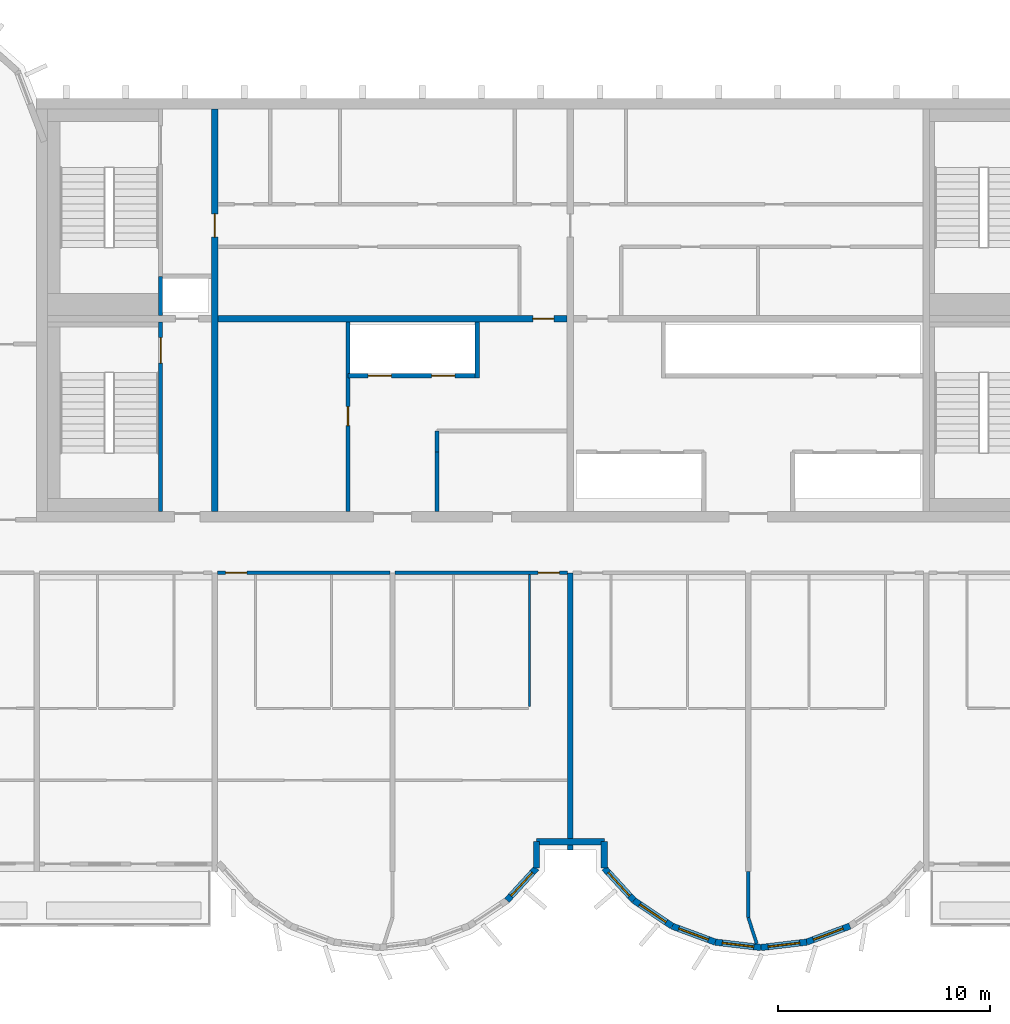
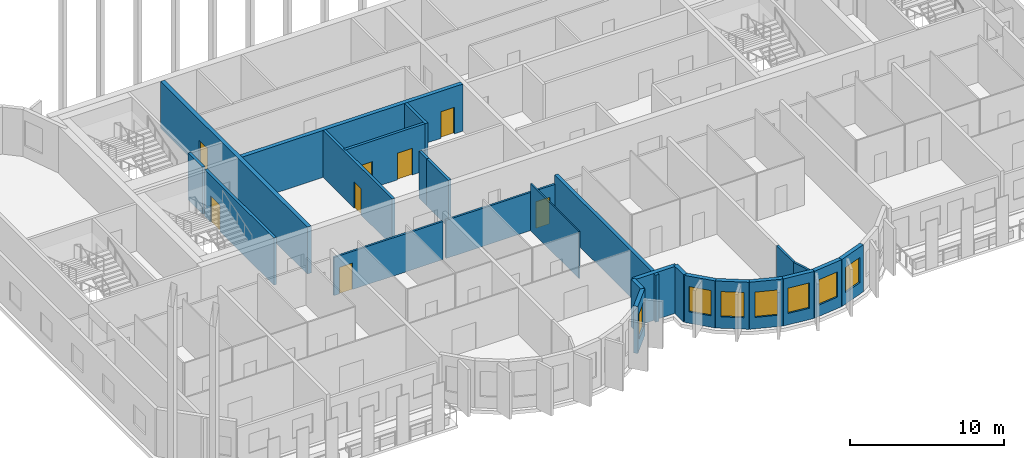
# One storey, part 4 of 13: 25 walls, 8 doors, 7 windows, 15 openings.
"""IFC4 building model written with IfcOpenShell, lengths in metres."""

from ifc_helpers import new_model, si_unit, direction, frame, frame_2d, origin, place, context, subcontext, project, spatial, rectangle, extrude, source, transform, mapped, material, layer, layer_set, type_object, element, fill, save


model = new_model("IFC4")

# Units and contexts
model_context = context("Model", 3, precision=1e-05, world=origin(), true_north=direction((0.0, 1.0)))
body_context = subcontext(model_context, "Body", "Model", "MODEL_VIEW")
ifc_project = project(units=[si_unit("LENGTHUNIT", "METRE"), si_unit("AREAUNIT", "SQUARE_METRE"), si_unit("VOLUMEUNIT", "CUBIC_METRE"), si_unit("PLANEANGLEUNIT", "RADIAN"), si_unit("MASSUNIT", "GRAM", prefix="KILO")], contexts=[model_context])

# Site, building, storey
site_placement = place(None, origin())
site = spatial("IfcSite", under=ifc_project, at=site_placement, CompositionType="ELEMENT")
building_placement = place(site_placement, origin())
building = spatial("IfcBuilding", under=site, at=building_placement, Name="Vanashikhar Sky Hotel", CompositionType="ELEMENT")
storey_placement = place(building_placement, frame((0.0, 0.0, 277.699951171875)))
storey = spatial("IfcBuildingStorey", under=building, at=storey_placement, Name="L66", CompositionType="ELEMENT", Elevation=277.699951171875)

# Wall, opening, door
ifc_material_1 = material(Name="Concrete M50", Category="concrete")
ifc_layer_1 = layer(ifc_material_1, 0.300048828125)
ifc_layer_set_1 = layer_set([ifc_layer_1], Name="RC core inner wall 300 Concrete M50")
wall_type_1 = type_object("IfcWallType", Name="RC core inner wall 300 Concrete M50", PredefinedType="SHEAR", material=ifc_layer_set_1)
shared_shape_1 = source(origin(), body_context, "Body", "SweptSolid", [
    extrude(rectangle(XDim=19.0, YDim=0.300048828125, at=frame_2d((9.5, 0.0))), origin(), (0.0, 0.0, 1.0), 3.719970703125),
])
wall_1_placement = place(storey_placement, frame((33.60009765625, 22.5, 0.0), z_axis=(0.0, 0.0, 1.0), x_axis=(0.0, 1.0, 0.0)))
wall_1 = element("IfcWall", 1, at=wall_1_placement, inside=storey, type_object=wall_type_1, Name="KW-L66-KX1", PredefinedType="SHEAR", context=body_context, shape_type="MappedRepresentation", body=[
    mapped(shared_shape_1, transform((0.0, 0.0, 0.0), scale=1.0)),
])
shared_shape_2 = source(origin(), body_context, "Body", "SweptSolid", [
    extrude(rectangle(XDim=1.10009765625, YDim=2.10009765625, at=frame_2d((0.550048828125, 1.050048828125))), frame((0.0, 0.16015625, 0.0), z_axis=(0.0, -1.0, 0.0), x_axis=(1.0, 0.0, 0.0)), (0.0, 0.0, 1.0), 0.320068359375),
])
opening_1_placement = place(wall_1_placement, frame((12.949951171875, 0.0, 0.0)))
opening_1 = element("IfcOpeningElement", 2, at=opening_1_placement, cuts=wall_1, Name="Opening DC-4-C", PredefinedType="OPENING", context=body_context, shape_type="MappedRepresentation", body=[
    mapped(shared_shape_2, transform((0.0, 0.0, 0.0), scale=1.0)),
])
ifc_material_2 = material(Name="Steel", Category="steel")
door_type_1 = type_object("IfcDoorType", Name="Service door 1100 FD60", OperationType="NOTDEFINED", PredefinedType="DOOR", material=ifc_material_2)
shared_shape_3 = source(origin(), body_context, "Body", "SweptSolid", [
    extrude(rectangle(XDim=1.10009765625, YDim=2.10009765625, at=frame_2d((0.550048828125, 1.050048828125))), frame((0.0, 0.02490234375, 0.0), z_axis=(0.0, -1.0, 0.0), x_axis=(1.0, 0.0, 0.0)), (0.0, 0.0, 1.0), 0.050048828125),
])
door_1_placement = place(opening_1_placement, origin())
door_1 = element("IfcDoor", 3, at=door_1_placement, inside=storey, type_object=door_type_1, Name="Service door 1100 FD60", OperationType="SINGLE_SWING_LEFT", OverallHeight=2.10009765625, OverallWidth=1.10009765625, PredefinedType="DOOR", context=body_context, shape_type="MappedRepresentation", body=[
    mapped(shared_shape_3, transform((0.0, 0.0, 0.0), scale=1.0)),
])
fill(opening_1, door_1)

shared_shape_4 = source(origin(), body_context, "Body", "SweptSolid", [
    extrude(rectangle(XDim=16.5, YDim=0.300048828125, at=frame_2d((8.25, 0.0))), origin(), (0.0, 0.0, 1.0), 3.719970703125),
])
wall_2_placement = place(storey_placement, frame((33.75, 31.60009765625, 0.0), z_axis=(0.0, 0.0, 1.0), x_axis=(1.0, 0.0, 0.0)))
wall_2 = element("IfcWall", 4, at=wall_2_placement, inside=storey, type_object=wall_type_1, Name="KW-L66-KY2", PredefinedType="SHEAR", context=body_context, shape_type="MappedRepresentation", body=[
    mapped(shared_shape_4, transform((0.0, 0.0, 0.0), scale=1.0)),
])
shared_shape_5 = source(origin(), body_context, "Body", "SweptSolid", [
    extrude(rectangle(XDim=1.0, YDim=2.10009765625, at=frame_2d((0.5, 1.050048828125))), frame((0.0, 0.16015625, 0.0), z_axis=(0.0, -1.0, 0.0), x_axis=(1.0, 0.0, 0.0)), (0.0, 0.0, 1.0), 0.320068359375),
])
opening_2_placement = place(wall_2_placement, frame((14.875, 0.0, 0.0)))
opening_2 = element("IfcOpeningElement", 5, at=opening_2_placement, cuts=wall_2, Name="Opening DC-4", PredefinedType="OPENING", context=body_context, shape_type="MappedRepresentation", body=[
    mapped(shared_shape_5, transform((0.0, 0.0, 0.0), scale=1.0)),
])
door_type_2 = type_object("IfcDoorType", Name="Service door 1000 FD60", OperationType="NOTDEFINED", PredefinedType="DOOR", material=ifc_material_2)
shared_shape_6 = source(origin(), body_context, "Body", "SweptSolid", [
    extrude(rectangle(XDim=1.0, YDim=2.10009765625, at=frame_2d((0.5, 1.050048828125))), frame((0.0, 0.02490234375, 0.0), z_axis=(0.0, -1.0, 0.0), x_axis=(1.0, 0.0, 0.0)), (0.0, 0.0, 1.0), 0.050048828125),
])
door_2_placement = place(opening_2_placement, origin())
door_2 = element("IfcDoor", 6, at=door_2_placement, inside=storey, type_object=door_type_2, Name="Service door 1000 FD60", OperationType="SINGLE_SWING_LEFT", OverallHeight=2.10009765625, OverallWidth=1.0, PredefinedType="DOOR", context=body_context, shape_type="MappedRepresentation", body=[
    mapped(shared_shape_6, transform((0.0, 0.0, 0.0), scale=1.0)),
])
fill(opening_2, door_2)

# Wall
ifc_layer_2 = layer(ifc_material_1, 0.25)
ifc_layer_set_2 = layer_set([ifc_layer_2], Name="RC shear wall 250 Concrete M50")
wall_type_2 = type_object("IfcWallType", Name="RC shear wall 250 Concrete M50", PredefinedType="SHEAR", material=ifc_layer_set_2)
shared_shape_7 = source(origin(), body_context, "Body", "SweptSolid", [
    extrude(rectangle(XDim=13.10009765625, YDim=0.25, at=frame_2d((6.550048828125, 0.0))), origin(), (0.0, 0.0, 1.0), 3.719970703125),
])
wall_3_placement = place(storey_placement, frame((50.39990234375, 6.5, 0.0), z_axis=(0.0, 0.0, 1.0), x_axis=(0.0, 1.0, 0.0)))
element("IfcWall", 7, at=wall_3_placement, inside=storey, type_object=wall_type_2, Name="CW-L66-XW07-1", PredefinedType="SHEAR", context=body_context, shape_type="MappedRepresentation", body=[
    mapped(shared_shape_7, transform((0.0, 0.0, 0.0), scale=1.0)),
])

# Wall, opening, window
ifc_layer_3 = layer(ifc_material_1, 0.300048828125)
ifc_layer_set_3 = layer_set([ifc_layer_3], Name="Lobe wall 300")
wall_type_3 = type_object("IfcWallType", Name="Lobe wall 300", PredefinedType="SOLIDWALL", material=ifc_layer_set_3)
shared_shape_8 = source(origin(), body_context, "Body", "SweptSolid", [
    extrude(rectangle(XDim=2.17578125, YDim=0.300048828125, at=frame_2d((1.087890625, 0.0))), origin(), (0.0, 0.0, 1.0), 3.719970703125),
])
wall_4_placement = place(storey_placement, frame((53.395751953125, 4.13134765625, 0.0), z_axis=(0.0, 0.0, 1.0), x_axis=(0.829590746428, -0.558371913192, 0.0)))
wall_4 = element("IfcWall", 8, at=wall_4_placement, inside=storey, type_object=wall_type_3, Name="Lobe wall", PredefinedType="SOLIDWALL", context=body_context, shape_type="MappedRepresentation", body=[
    mapped(shared_shape_8, transform((0.0, 0.0, 0.0), scale=1.0)),
])
shared_shape_9 = source(origin(), body_context, "Body", "SweptSolid", [
    extrude(rectangle(XDim=1.5, YDim=2.0, at=frame_2d((0.75, 1.0))), frame((0.0, 0.16015625, 0.0), z_axis=(0.0, -1.0, 0.0), x_axis=(1.0, 0.0, 0.0)), (0.0, 0.0, 1.0), 0.320068359375),
])
opening_3_placement = place(wall_4_placement, frame((0.337890625, 0.0, 0.89990234375)))
opening_3 = element("IfcOpeningElement", 9, at=opening_3_placement, cuts=wall_4, Name="Opening WN-2", PredefinedType="OPENING", context=body_context, shape_type="MappedRepresentation", body=[
    mapped(shared_shape_9, transform((0.0, 0.0, 0.0), scale=1.0)),
])
ifc_material_3 = material(Name="Glass", Category="glass")
window_type = type_object("IfcWindowType", Name="Lobe window 1500 x 2000", PartitioningType="SINGLE_PANEL", PredefinedType="WINDOW", material=ifc_material_3)
shared_shape_10 = source(origin(), body_context, "Body", "SweptSolid", [
    extrude(rectangle(XDim=1.5, YDim=2.0, at=frame_2d((0.75, 1.0))), frame((0.0, 0.030029296875, 0.0), z_axis=(0.0, -1.0, 0.0), x_axis=(1.0, 0.0, 0.0)), (0.0, 0.0, 1.0), 0.06005859375),
])
window_1_placement = place(opening_3_placement, origin())
window_1 = element("IfcWindow", 10, at=window_1_placement, inside=storey, type_object=window_type, Name="Window WN-2", OverallHeight=2.0, OverallWidth=1.5, PartitioningType="SINGLE_PANEL", PredefinedType="WINDOW", context=body_context, shape_type="MappedRepresentation", body=[
    mapped(shared_shape_10, transform((0.0, 0.0, 0.0), scale=1.0)),
])
fill(opening_3, window_1)

wall_5_placement = place(storey_placement, frame((55.20068359375, 2.91650390625, 0.0), z_axis=(0.0, 0.0, 1.0), x_axis=(0.93754555999, -0.347862505801, 0.0)))
wall_5 = element("IfcWall", 11, at=wall_5_placement, inside=storey, type_object=wall_type_3, Name="Lobe wall", PredefinedType="SOLIDWALL", context=body_context, shape_type="MappedRepresentation", body=[
    mapped(shared_shape_8, transform((0.0, 0.0, 0.0), scale=1.0)),
])
opening_4_placement = place(wall_5_placement, frame((0.337890625, 0.0, 0.89990234375)))
opening_4 = element("IfcOpeningElement", 12, at=opening_4_placement, cuts=wall_5, Name="Opening WN-2", PredefinedType="OPENING", context=body_context, shape_type="MappedRepresentation", body=[
    mapped(shared_shape_9, transform((0.0, 0.0, 0.0), scale=1.0)),
])
window_2_placement = place(opening_4_placement, origin())
window_2 = element("IfcWindow", 13, at=window_2_placement, inside=storey, type_object=window_type, Name="Window WN-2", OverallHeight=2.0, OverallWidth=1.5, PartitioningType="SINGLE_PANEL", PredefinedType="WINDOW", context=body_context, shape_type="MappedRepresentation", body=[
    mapped(shared_shape_10, transform((0.0, 0.0, 0.0), scale=1.0)),
])
fill(opening_4, window_2)

shared_shape_11 = source(origin(), body_context, "Body", "SweptSolid", [
    extrude(rectangle(XDim=2.174560546875, YDim=0.300048828125, at=frame_2d((1.08740234375, 0.0))), origin(), (0.0, 0.0, 1.0), 3.719970703125),
])
wall_6_placement = place(storey_placement, frame((57.240478515625, 2.15966796875, 0.0), z_axis=(0.0, 0.0, 1.0), x_axis=(0.993001132889, -0.118104826659, 0.0)))
wall_6 = element("IfcWall", 14, at=wall_6_placement, inside=storey, type_object=wall_type_3, Name="Lobe wall", PredefinedType="SOLIDWALL", context=body_context, shape_type="MappedRepresentation", body=[
    mapped(shared_shape_11, transform((0.0, 0.0, 0.0), scale=1.0)),
])
opening_5_placement = place(wall_6_placement, frame((0.33740234375, 0.0, 0.89990234375)))
opening_5 = element("IfcOpeningElement", 15, at=opening_5_placement, cuts=wall_6, Name="Opening WN-2", PredefinedType="OPENING", context=body_context, shape_type="MappedRepresentation", body=[
    mapped(shared_shape_9, transform((0.0, 0.0, 0.0), scale=1.0)),
])
window_3_placement = place(opening_5_placement, origin())
window_3 = element("IfcWindow", 16, at=window_3_placement, inside=storey, type_object=window_type, Name="Window WN-2", OverallHeight=2.0, OverallWidth=1.5, PartitioningType="SINGLE_PANEL", PredefinedType="WINDOW", context=body_context, shape_type="MappedRepresentation", body=[
    mapped(shared_shape_10, transform((0.0, 0.0, 0.0), scale=1.0)),
])
fill(opening_5, window_3)

shared_shape_12 = source(origin(), body_context, "Body", "SweptSolid", [
    extrude(rectangle(XDim=2.1748046875, YDim=0.300048828125, at=frame_2d((1.08740234375, 0.0))), origin(), (0.0, 0.0, 1.0), 3.719970703125),
])
wall_7_placement = place(storey_placement, frame((59.39990234375, 1.90283203125, 0.0), z_axis=(0.0, 0.0, 1.0), x_axis=(0.993002698611, 0.118091661648, 0.0)))
wall_7 = element("IfcWall", 17, at=wall_7_placement, inside=storey, type_object=wall_type_3, Name="Lobe wall", PredefinedType="SOLIDWALL", context=body_context, shape_type="MappedRepresentation", body=[
    mapped(shared_shape_12, transform((0.0, 0.0, 0.0), scale=1.0)),
])
opening_6_placement = place(wall_7_placement, frame((0.33740234375, 0.0, 0.89990234375)))
opening_6 = element("IfcOpeningElement", 18, at=opening_6_placement, cuts=wall_7, Name="Opening WN-2", PredefinedType="OPENING", context=body_context, shape_type="MappedRepresentation", body=[
    mapped(shared_shape_9, transform((0.0, 0.0, 0.0), scale=1.0)),
])
window_4_placement = place(opening_6_placement, origin())
window_4 = element("IfcWindow", 19, at=window_4_placement, inside=storey, type_object=window_type, Name="Window WN-2", OverallHeight=2.0, OverallWidth=1.5, PartitioningType="SINGLE_PANEL", PredefinedType="WINDOW", context=body_context, shape_type="MappedRepresentation", body=[
    mapped(shared_shape_10, transform((0.0, 0.0, 0.0), scale=1.0)),
])
fill(opening_6, window_4)

shared_shape_13 = source(origin(), body_context, "Body", "SweptSolid", [
    extrude(rectangle(XDim=2.175537109375, YDim=0.300048828125, at=frame_2d((1.087890625, 0.0))), origin(), (0.0, 0.0, 1.0), 3.719970703125),
])
wall_8_placement = place(storey_placement, frame((61.5595703125, 2.15966796875, 0.0), z_axis=(0.0, 0.0, 1.0), x_axis=(0.937531979054, 0.347899106424, 0.0)))
wall_8 = element("IfcWall", 20, at=wall_8_placement, inside=storey, type_object=wall_type_3, Name="Lobe wall", PredefinedType="SOLIDWALL", context=body_context, shape_type="MappedRepresentation", body=[
    mapped(shared_shape_13, transform((0.0, 0.0, 0.0), scale=1.0)),
])
opening_7_placement = place(wall_8_placement, frame((0.337890625, 0.0, 0.89990234375)))
opening_7 = element("IfcOpeningElement", 21, at=opening_7_placement, cuts=wall_8, Name="Opening WN-2", PredefinedType="OPENING", context=body_context, shape_type="MappedRepresentation", body=[
    mapped(shared_shape_9, transform((0.0, 0.0, 0.0), scale=1.0)),
])
window_5_placement = place(opening_7_placement, origin())
window_5 = element("IfcWindow", 22, at=window_5_placement, inside=storey, type_object=window_type, Name="Window WN-2", OverallHeight=2.0, OverallWidth=1.5, PartitioningType="SINGLE_PANEL", PredefinedType="WINDOW", context=body_context, shape_type="MappedRepresentation", body=[
    mapped(shared_shape_10, transform((0.0, 0.0, 0.0), scale=1.0)),
])
fill(opening_7, window_5)

shared_shape_14 = source(origin(), body_context, "Body", "SweptSolid", [
    extrude(rectangle(XDim=2.066650390625, YDim=0.300048828125, at=frame_2d((1.033203125, 0.0))), origin(), (0.0, 0.0, 1.0), 3.719970703125),
])
wall_9_placement = place(storey_placement, frame((47.404296875, 4.13134765625, 0.0), z_axis=(0.0, 0.0, 1.0), x_axis=(0.675355439877, 0.737492393065, 0.0)))
wall_9 = element("IfcWall", 23, at=wall_9_placement, inside=storey, type_object=wall_type_3, Name="Lobe wall", PredefinedType="SOLIDWALL", context=body_context, shape_type="MappedRepresentation", body=[
    mapped(shared_shape_14, transform((0.0, 0.0, 0.0), scale=1.0)),
])
opening_8_placement = place(wall_9_placement, frame((0.283447265625, 0.0, 0.89990234375)))
opening_8 = element("IfcOpeningElement", 24, at=opening_8_placement, cuts=wall_9, Name="Opening WN-2", PredefinedType="OPENING", context=body_context, shape_type="MappedRepresentation", body=[
    mapped(shared_shape_9, transform((0.0, 0.0, 0.0), scale=1.0)),
])
window_6_placement = place(opening_8_placement, origin())
window_6 = element("IfcWindow", 25, at=window_6_placement, inside=storey, type_object=window_type, Name="Window WN-2", OverallHeight=2.0, OverallWidth=1.5, PartitioningType="SINGLE_PANEL", PredefinedType="WINDOW", context=body_context, shape_type="MappedRepresentation", body=[
    mapped(shared_shape_10, transform((0.0, 0.0, 0.0), scale=1.0)),
])
fill(opening_8, window_6)

wall_10_placement = place(storey_placement, frame((52.0, 5.655517578125, 0.0), z_axis=(0.0, 0.0, 1.0), x_axis=(0.675355439877, -0.737492393065, 0.0)))
wall_10 = element("IfcWall", 26, at=wall_10_placement, inside=storey, type_object=wall_type_3, Name="Lobe wall", PredefinedType="SOLIDWALL", context=body_context, shape_type="MappedRepresentation", body=[
    mapped(shared_shape_14, transform((0.0, 0.0, 0.0), scale=1.0)),
])
opening_9_placement = place(wall_10_placement, frame((0.283447265625, 0.0, 0.89990234375)))
opening_9 = element("IfcOpeningElement", 27, at=opening_9_placement, cuts=wall_10, Name="Opening WN-2", PredefinedType="OPENING", context=body_context, shape_type="MappedRepresentation", body=[
    mapped(shared_shape_9, transform((0.0, 0.0, 0.0), scale=1.0)),
])
window_7_placement = place(opening_9_placement, origin())
window_7 = element("IfcWindow", 28, at=window_7_placement, inside=storey, type_object=window_type, Name="Window WN-2", OverallHeight=2.0, OverallWidth=1.5, PartitioningType="SINGLE_PANEL", PredefinedType="WINDOW", context=body_context, shape_type="MappedRepresentation", body=[
    mapped(shared_shape_10, transform((0.0, 0.0, 0.0), scale=1.0)),
])
fill(opening_9, window_7)

# Walls
shared_shape_15 = source(origin(), body_context, "Body", "SweptSolid", [
    extrude(rectangle(XDim=1.244384765625, YDim=0.300048828125, at=frame_2d((0.6220703125, 0.0))), origin(), (0.0, 0.0, 1.0), 3.719970703125),
])
for number, where, z_axis, x_axis, name in (
    (29, (48.800048828125, 5.655517578125, 0.0), (0.0, 0.0, 1.0), (0.0, 1.0, 0.0), "Groove wall"),
    (30, (52.0, 6.89990234375, 0.0), (0.0, 0.0, 1.0), (0.0, -1.0, 0.0), "Groove wall"),
):
    element("IfcWall", number, at=place(storey_placement, frame(where, z_axis=z_axis, x_axis=x_axis)), inside=storey, type_object=wall_type_3, Name=name, PredefinedType="SOLIDWALL", context=body_context, shape_type="MappedRepresentation", body=[
        mapped(shared_shape_15, transform((0.0, 0.0, 0.0), scale=1.0)),
    ])
shared_shape_16 = source(origin(), body_context, "Body", "SweptSolid", [
    extrude(rectangle(XDim=3.199951171875, YDim=0.300048828125, at=frame_2d((1.60009765625, 0.0))), origin(), (0.0, 0.0, 1.0), 3.719970703125),
])
wall_11_placement = place(storey_placement, frame((48.800048828125, 6.89990234375, 0.0), z_axis=(0.0, 0.0, 1.0), x_axis=(1.0, 0.0, 0.0)))
element("IfcWall", 31, at=wall_11_placement, inside=storey, type_object=wall_type_3, Name="Groove wall", PredefinedType="SOLIDWALL", context=body_context, shape_type="MappedRepresentation", body=[
    mapped(shared_shape_16, transform((0.0, 0.0, 0.0), scale=1.0)),
])

# Wall, openings, doors
ifc_material_4 = material(Name="Concrete M40", Category="concrete")
ifc_layer_4 = layer(ifc_material_4, 0.199951171875)
ifc_layer_set_4 = layer_set([ifc_layer_4], Name="Shaft wall 200")
wall_type_4 = type_object("IfcWallType", Name="Shaft wall 200", PredefinedType="SOLIDWALL", material=ifc_layer_set_4)
shared_shape_17 = source(origin(), body_context, "Body", "SweptSolid", [
    extrude(rectangle(XDim=6.0, YDim=0.199951171875, at=frame_2d((3.0, 0.0))), origin(), (0.0, 0.0, 1.0), 3.719970703125),
])
wall_12_placement = place(storey_placement, frame((39.89990234375, 28.89990234375, 0.0), z_axis=(0.0, 0.0, 1.0), x_axis=(1.0, 0.0, 0.0)))
wall_12 = element("IfcWall", 32, at=wall_12_placement, inside=storey, type_object=wall_type_4, Name="Shaft wall 200", PredefinedType="SOLIDWALL", context=body_context, shape_type="MappedRepresentation", body=[
    mapped(shared_shape_17, transform((0.0, 0.0, 0.0), scale=1.0)),
])
shared_shape_18 = source(origin(), body_context, "Body", "SweptSolid", [
    extrude(rectangle(XDim=1.10009765625, YDim=2.10009765625, at=frame_2d((0.550048828125, 1.050048828125))), frame((0.0, 0.10986328125, 0.0), z_axis=(0.0, -1.0, 0.0), x_axis=(1.0, 0.0, 0.0)), (0.0, 0.0, 1.0), 0.219970703125),
])
opening_10_placement = place(wall_12_placement, frame((0.949951171875, 0.0, 0.0)))
opening_10 = element("IfcOpeningElement", 33, at=opening_10_placement, cuts=wall_12, Name="Opening LD", PredefinedType="OPENING", context=body_context, shape_type="MappedRepresentation", body=[
    mapped(shared_shape_18, transform((0.0, 0.0, 0.0), scale=1.0)),
])
opening_11_placement = place(wall_12_placement, frame((3.949951171875, 0.0, 0.0)))
opening_11 = element("IfcOpeningElement", 34, at=opening_11_placement, cuts=wall_12, Name="Opening LD", PredefinedType="OPENING", context=body_context, shape_type="MappedRepresentation", body=[
    mapped(shared_shape_18, transform((0.0, 0.0, 0.0), scale=1.0)),
])
ifc_material_5 = material(Name="Stainless steel", Category="steel")
door_type_3 = type_object("IfcDoorType", Name="Lift landing door 1100", OperationType="NOTDEFINED", PredefinedType="DOOR", material=ifc_material_5)
door_3_placement = place(opening_10_placement, origin())
door_3 = element("IfcDoor", 35, at=door_3_placement, inside=storey, type_object=door_type_3, Name="Lift landing door 1100", OperationType="SLIDING_TO_LEFT", OverallHeight=2.10009765625, OverallWidth=1.10009765625, PredefinedType="DOOR", context=body_context, shape_type="MappedRepresentation", body=[
    mapped(shared_shape_3, transform((0.0, 0.0, 0.0), scale=1.0)),
])
fill(opening_10, door_3)
door_4_placement = place(opening_11_placement, origin())
door_4 = element("IfcDoor", 36, at=door_4_placement, inside=storey, type_object=door_type_3, Name="Lift landing door 1100", OperationType="SLIDING_TO_RIGHT", OverallHeight=2.10009765625, OverallWidth=1.10009765625, PredefinedType="DOOR", context=body_context, shape_type="MappedRepresentation", body=[
    mapped(shared_shape_3, transform((0.0, 0.0, 0.0), scale=1.0)),
])
fill(opening_11, door_4)

# Wall, opening, door
ifc_material_6 = material(Name="Gypsum board partition")
ifc_layer_5 = layer(ifc_material_6, 0.14990234375)
ifc_layer_set_5 = layer_set([ifc_layer_5], Name="Service partition 150")
wall_type_5 = type_object("IfcWallType", Name="Service partition 150", PredefinedType="PARTITIONING", material=ifc_layer_set_5)
shared_shape_19 = source(origin(), body_context, "Body", "SweptSolid", [
    extrude(rectangle(XDim=8.949951171875, YDim=0.199951171875, at=frame_2d((4.47509765625, 0.0))), origin(), (0.0, 0.0, 1.0), 3.719970703125),
])
wall_13_placement = place(storey_placement, frame((39.89990234375, 22.5, 0.0), z_axis=(0.0, 0.0, 1.0), x_axis=(0.0, 1.0, 0.0)))
wall_13 = element("IfcWall", 37, at=wall_13_placement, inside=storey, type_object=wall_type_5, Name="Service partition 150", PredefinedType="PARTITIONING", context=body_context, shape_type="MappedRepresentation", body=[
    mapped(shared_shape_19, transform((0.0, 0.0, 0.0), scale=1.0)),
])
shared_shape_20 = source(origin(), body_context, "Body", "SweptSolid", [
    extrude(rectangle(XDim=0.89990234375, YDim=2.10009765625, at=frame_2d((0.449951171875, 1.050048828125))), frame((0.0, 0.10986328125, 0.0), z_axis=(0.0, -1.0, 0.0), x_axis=(1.0, 0.0, 0.0)), (0.0, 0.0, 1.0), 0.219970703125),
])
opening_12_placement = place(wall_13_placement, frame((4.050048828125, 0.0, 0.0)))
opening_12 = element("IfcOpeningElement", 38, at=opening_12_placement, cuts=wall_13, Name="Opening DC-4-A", PredefinedType="OPENING", context=body_context, shape_type="MappedRepresentation", body=[
    mapped(shared_shape_20, transform((0.0, 0.0, 0.0), scale=1.0)),
])
door_type_4 = type_object("IfcDoorType", Name="Service door 900 FD60", OperationType="NOTDEFINED", PredefinedType="DOOR", material=ifc_material_2)
shared_shape_21 = source(origin(), body_context, "Body", "SweptSolid", [
    extrude(rectangle(XDim=0.89990234375, YDim=2.10009765625, at=frame_2d((0.449951171875, 1.050048828125))), frame((0.0, 0.02490234375, 0.0), z_axis=(0.0, -1.0, 0.0), x_axis=(1.0, 0.0, 0.0)), (0.0, 0.0, 1.0), 0.050048828125),
])
door_5_placement = place(opening_12_placement, origin())
door_5 = element("IfcDoor", 39, at=door_5_placement, inside=storey, type_object=door_type_4, Name="Service door 900 FD60", OperationType="SINGLE_SWING_RIGHT", OverallHeight=2.10009765625, OverallWidth=0.89990234375, PredefinedType="DOOR", context=body_context, shape_type="MappedRepresentation", body=[
    mapped(shared_shape_21, transform((0.0, 0.0, 0.0), scale=1.0)),
])
fill(opening_12, door_5)

# Walls
shared_shape_22 = source(origin(), body_context, "Body", "SweptSolid", [
    extrude(rectangle(XDim=2.800048828125, YDim=0.199951171875, at=frame_2d((1.39990234375, 0.0))), origin(), (0.0, 0.0, 1.0), 3.719970703125),
])
wall_14_placement = place(storey_placement, frame((44.10009765625, 22.5, 0.0), z_axis=(0.0, 0.0, 1.0), x_axis=(0.0, 1.0, 0.0)))
element("IfcWall", 40, at=wall_14_placement, inside=storey, type_object=wall_type_5, Name="Service partition 150", PredefinedType="PARTITIONING", context=body_context, shape_type="MappedRepresentation", body=[
    mapped(shared_shape_22, transform((0.0, 0.0, 0.0), scale=1.0)),
])
shared_shape_23 = source(origin(), body_context, "Body", "SweptSolid", [
    extrude(rectangle(XDim=2.64990234375, YDim=0.199951171875, at=frame_2d((1.324951171875, 0.0))), origin(), (0.0, 0.0, 1.0), 3.719970703125),
])
wall_15_placement = place(storey_placement, frame((46.0, 28.800048828125, 0.0), z_axis=(0.0, 0.0, 1.0), x_axis=(0.0, 1.0, 0.0)))
element("IfcWall", 41, at=wall_15_placement, inside=storey, type_object=wall_type_4, Name="Shaft wall 200", PredefinedType="SOLIDWALL", context=body_context, shape_type="MappedRepresentation", body=[
    mapped(shared_shape_23, transform((0.0, 0.0, 0.0), scale=1.0)),
])
shared_shape_24 = source(origin(), body_context, "Body", "SweptSolid", [
    extrude(rectangle(XDim=1.0, YDim=0.199951171875, at=frame_2d((0.5, 0.0))), origin(), (0.0, 0.0, 1.0), 3.719970703125),
])
wall_16_placement = place(storey_placement, frame((44.10009765625, 25.300048828125, 0.0), z_axis=(0.0, 0.0, 1.0), x_axis=(0.0, 1.0, 0.0)))
element("IfcWall", 42, at=wall_16_placement, inside=storey, type_object=wall_type_5, Name="Service partition 150", PredefinedType="PARTITIONING", context=body_context, shape_type="MappedRepresentation", body=[
    mapped(shared_shape_24, transform((0.0, 0.0, 0.0), scale=1.0)),
])

# Wall, opening, door
ifc_layer_6 = layer(ifc_material_1, 0.199951171875)
ifc_layer_set_6 = layer_set([ifc_layer_6], Name="Stair wall 200")
wall_type_6 = type_object("IfcWallType", Name="Stair wall 200", PredefinedType="SOLIDWALL", material=ifc_layer_set_6)
shared_shape_25 = source(origin(), body_context, "Body", "SweptSolid", [
    extrude(rectangle(XDim=8.949951171875, YDim=0.199951171875, at=frame_2d((4.47509765625, 0.0))), origin(), (0.0, 0.0, 1.0), 3.719970703125),
])
wall_17_placement = place(storey_placement, frame((31.050048828125, 22.5, 0.0), z_axis=(0.0, 0.0, 1.0), x_axis=(0.0, 1.0, 0.0)))
wall_17 = element("IfcWall", 43, at=wall_17_placement, inside=storey, type_object=wall_type_6, Name="Stair wall 200", PredefinedType="SOLIDWALL", context=body_context, shape_type="MappedRepresentation", body=[
    mapped(shared_shape_25, transform((0.0, 0.0, 0.0), scale=1.0)),
])
shared_shape_26 = source(origin(), body_context, "Body", "SweptSolid", [
    extrude(rectangle(XDim=1.199951171875, YDim=2.10009765625, at=frame_2d((0.60009765625, 1.050048828125))), frame((0.0, 0.10986328125, 0.0), z_axis=(0.0, -1.0, 0.0), x_axis=(1.0, 0.0, 0.0)), (0.0, 0.0, 1.0), 0.219970703125),
])
opening_13_placement = place(wall_17_placement, frame((7.0, 0.0, 0.0)))
opening_13 = element("IfcOpeningElement", 44, at=opening_13_placement, cuts=wall_17, Name="Opening DC-1", PredefinedType="OPENING", context=body_context, shape_type="MappedRepresentation", body=[
    mapped(shared_shape_26, transform((0.0, 0.0, 0.0), scale=1.0)),
])
door_type_5 = type_object("IfcDoorType", Name="Stair door 1200 FD120", OperationType="NOTDEFINED", PredefinedType="DOOR", material=ifc_material_2)
shared_shape_27 = source(origin(), body_context, "Body", "SweptSolid", [
    extrude(rectangle(XDim=1.199951171875, YDim=2.10009765625, at=frame_2d((0.60009765625, 1.050048828125))), frame((0.0, 0.02490234375, 0.0), z_axis=(0.0, -1.0, 0.0), x_axis=(1.0, 0.0, 0.0)), (0.0, 0.0, 1.0), 0.050048828125),
])
door_6_placement = place(opening_13_placement, origin())
door_6 = element("IfcDoor", 45, at=door_6_placement, inside=storey, type_object=door_type_5, Name="Stair door 1200 FD120", OperationType="SINGLE_SWING_LEFT", OverallHeight=2.10009765625, OverallWidth=1.199951171875, PredefinedType="DOOR", context=body_context, shape_type="MappedRepresentation", body=[
    mapped(shared_shape_27, transform((0.0, 0.0, 0.0), scale=1.0)),
])
fill(opening_13, door_6)

# Walls
shared_shape_28 = source(origin(), body_context, "Body", "SweptSolid", [
    extrude(rectangle(XDim=1.85009765625, YDim=0.199951171875, at=frame_2d((0.925048828125, 0.0))), origin(), (0.0, 0.0, 1.0), 3.719970703125),
])
wall_18_placement = place(storey_placement, frame((31.050048828125, 31.75, 0.0), z_axis=(0.0, 0.0, 1.0), x_axis=(0.0, 1.0, 0.0)))
element("IfcWall", 46, at=wall_18_placement, inside=storey, type_object=wall_type_4, Name="Shaft wall 200", PredefinedType="SOLIDWALL", context=body_context, shape_type="MappedRepresentation", body=[
    mapped(shared_shape_28, transform((0.0, 0.0, 0.0), scale=1.0)),
])
ifc_material_7 = material(Name="Gypsum plasterboard partition")
ifc_layer_7 = layer(ifc_material_7, 0.10009765625)
ifc_layer_set_7 = layer_set([ifc_layer_7], Name="Wet room partition 100")
wall_type_7 = type_object("IfcWallType", Name="Wet room partition 100", PredefinedType="PARTITIONING", material=ifc_layer_set_7)
shared_shape_29 = source(origin(), body_context, "Body", "SweptSolid", [
    extrude(rectangle(XDim=6.25, YDim=0.10009765625, at=frame_2d((3.125, 0.0))), origin(), (0.0, 0.0, 1.0), 3.719970703125),
])
wall_19_placement = place(storey_placement, frame((48.47509765625, 13.27490234375, 0.0), z_axis=(0.0, 0.0, 1.0), x_axis=(0.0, 1.0, 0.0)))
element("IfcWall", 47, at=wall_19_placement, inside=storey, type_object=wall_type_7, Name="W-L66-PW019", PredefinedType="PARTITIONING", context=body_context, shape_type="MappedRepresentation", body=[
    mapped(shared_shape_29, transform((0.0, 0.0, 0.0), scale=1.0)),
])

# Wall, opening, door
ifc_layer_8 = layer(ifc_material_7, 0.14990234375)
ifc_layer_set_8 = layer_set([ifc_layer_8], Name="Corridor and demising partition 150")
wall_type_8 = type_object("IfcWallType", Name="Corridor and demising partition 150", PredefinedType="PARTITIONING", material=ifc_layer_set_8)
shared_shape_30 = source(origin(), body_context, "Body", "SweptSolid", [
    extrude(rectangle(XDim=8.14990234375, YDim=0.14990234375, at=frame_2d((4.074951171875, 0.0))), origin(), (0.0, 0.0, 1.0), 3.02001953125),
])
wall_20_placement = place(storey_placement, frame((33.72509765625, 19.60009765625, 0.0), z_axis=(0.0, 0.0, 1.0), x_axis=(1.0, 0.0, 0.0)))
wall_20 = element("IfcWall", 48, at=wall_20_placement, inside=storey, type_object=wall_type_8, Name="W-L66-PW018", PredefinedType="PARTITIONING", context=body_context, shape_type="MappedRepresentation", body=[
    mapped(shared_shape_30, transform((0.0, 0.0, 0.0), scale=1.0)),
])
shared_shape_31 = source(origin(), body_context, "Body", "SweptSolid", [
    extrude(rectangle(XDim=1.0, YDim=2.10009765625, at=frame_2d((0.5, 1.050048828125))), frame((0.0, 0.0849609375, 0.0), z_axis=(0.0, -1.0, 0.0), x_axis=(1.0, 0.0, 0.0)), (0.0, 0.0, 1.0), 0.169921875),
])
opening_14_placement = place(wall_20_placement, frame((0.39990234375, 0.0, 0.0)))
opening_14 = element("IfcOpeningElement", 49, at=opening_14_placement, cuts=wall_20, Name="Opening D-01", PredefinedType="OPENING", context=body_context, shape_type="MappedRepresentation", body=[
    mapped(shared_shape_31, transform((0.0, 0.0, 0.0), scale=1.0)),
])
ifc_material_8 = material(Name="Timber fire door", Category="wood")
door_type_6 = type_object("IfcDoorType", Name="Guest entry door 1000 FD30S", OperationType="NOTDEFINED", PredefinedType="DOOR", material=ifc_material_8)
door_7_placement = place(opening_14_placement, origin())
door_7 = element("IfcDoor", 50, at=door_7_placement, inside=storey, type_object=door_type_6, Name="D-L66-012", OperationType="SINGLE_SWING_LEFT", OverallHeight=2.10009765625, OverallWidth=1.0, PredefinedType="DOOR", context=body_context, shape_type="MappedRepresentation", body=[
    mapped(shared_shape_6, transform((0.0, 0.0, 0.0), scale=1.0)),
])
fill(opening_14, door_7)

wall_21_placement = place(storey_placement, frame((42.125, 19.60009765625, 0.0), z_axis=(0.0, 0.0, 1.0), x_axis=(1.0, 0.0, 0.0)))
wall_21 = element("IfcWall", 51, at=wall_21_placement, inside=storey, type_object=wall_type_8, Name="W-L66-PW024", PredefinedType="PARTITIONING", context=body_context, shape_type="MappedRepresentation", body=[
    mapped(shared_shape_30, transform((0.0, 0.0, 0.0), scale=1.0)),
])
opening_15_placement = place(wall_21_placement, frame((6.75, 0.0, 0.0)))
opening_15 = element("IfcOpeningElement", 52, at=opening_15_placement, cuts=wall_21, Name="Opening D-01", PredefinedType="OPENING", context=body_context, shape_type="MappedRepresentation", body=[
    mapped(shared_shape_31, transform((0.0, 0.0, 0.0), scale=1.0)),
])
door_8_placement = place(opening_15_placement, origin())
door_8 = element("IfcDoor", 53, at=door_8_placement, inside=storey, type_object=door_type_6, Name="D-L66-016", OperationType="SINGLE_SWING_RIGHT", OverallHeight=2.10009765625, OverallWidth=1.0, PredefinedType="DOOR", context=body_context, shape_type="MappedRepresentation", body=[
    mapped(shared_shape_6, transform((0.0, 0.0, 0.0), scale=1.0)),
])
fill(opening_15, door_8)

# Walls
shared_shape_32 = source(origin(), body_context, "Body", "SweptSolid", [
    extrude(rectangle(XDim=2.177978515625, YDim=0.14990234375, at=frame_2d((1.0888671875, 0.0))), origin(), (0.0, 0.0, 1.0), 3.719970703125),
])
wall_22_placement = place(storey_placement, frame((58.800048828125, 3.322021484375, 0.0), z_axis=(0.0, 0.0, 1.0), x_axis=(0.0, 1.0, 0.0)))
element("IfcWall", 54, at=wall_22_placement, inside=storey, type_object=wall_type_8, Name="W-L66-PW047", PredefinedType="PARTITIONING", context=body_context, shape_type="MappedRepresentation", body=[
    mapped(shared_shape_32, transform((0.0, 0.0, 0.0), scale=1.0)),
])
shared_shape_33 = source(origin(), body_context, "Body", "SweptSolid", [
    extrude(rectangle(XDim=1.308349609375, YDim=0.14990234375, at=frame_2d((0.654296875, 0.0))), origin(), (0.0, 0.0, 1.0), 3.719970703125),
])
wall_23_placement = place(storey_placement, frame((59.201904296875, 2.076904296875, 0.0), z_axis=(0.0, 0.0, 1.0), x_axis=(-0.307144529633, 0.951662880392, 0.0)))
element("IfcWall", 55, at=wall_23_placement, inside=storey, type_object=wall_type_8, Name="W-L66-PW047B0", PredefinedType="PARTITIONING", context=body_context, shape_type="MappedRepresentation", body=[
    mapped(shared_shape_33, transform((0.0, 0.0, 0.0), scale=1.0)),
])

save(model, "model.ifc")
